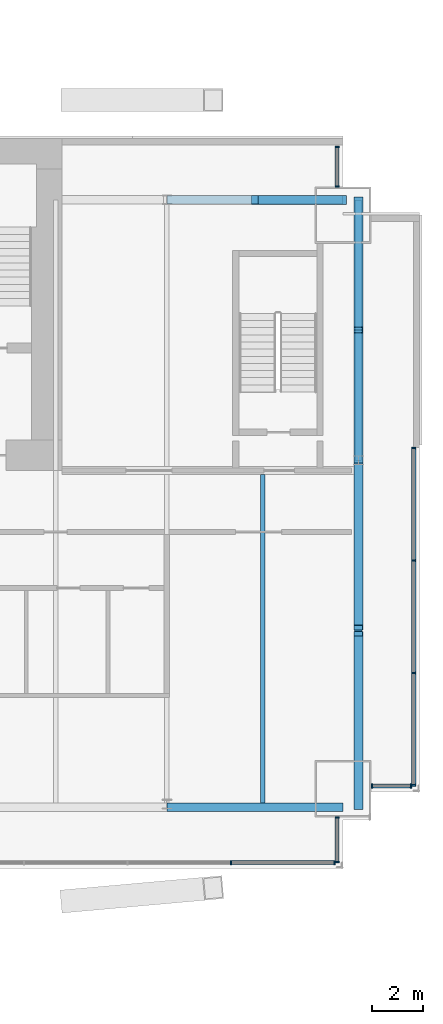
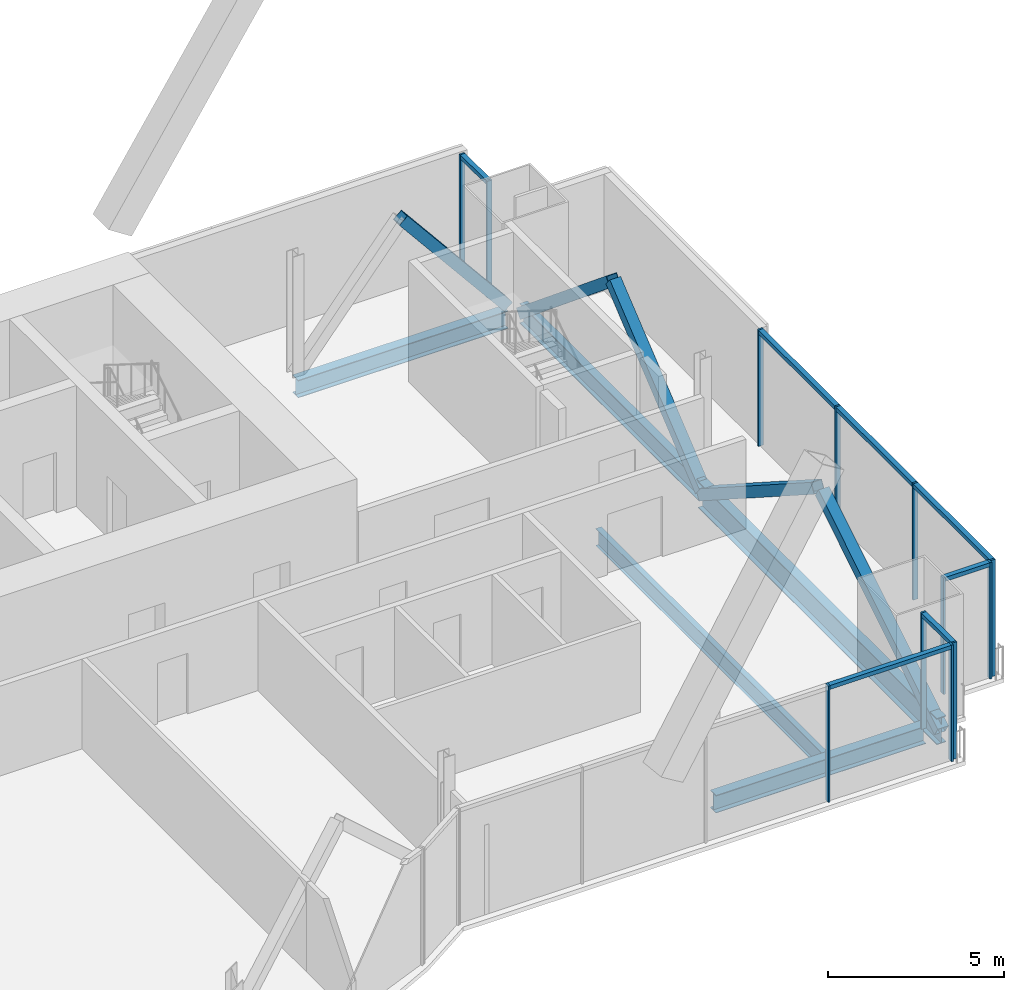
# One storey, part 11 of 19: 24 members, 5 beams, 5 elements without a shape of their own.
"""IFC4 building model written with IfcOpenShell, lengths in metres."""

from ifc_helpers import new_model, si_unit, direction, frame, origin, origin_2d, place, context, subcontext, project, spatial, rectangle, hollow_rectangle, i_section, extrude, material, material_profile, profile_set, type_object, element, aggregate, save


model = new_model("IFC4")

# Units and contexts
model_context = context("Model", 3, precision=1e-05, world=origin(), true_north=direction((0.0, 1.0)))
body_context = subcontext(model_context, "Body", "Model", "MODEL_VIEW")
ifc_project = project(units=[si_unit("LENGTHUNIT", "METRE"), si_unit("AREAUNIT", "SQUARE_METRE"), si_unit("VOLUMEUNIT", "CUBIC_METRE"), si_unit("PLANEANGLEUNIT", "RADIAN"), si_unit("MASSUNIT", "GRAM", prefix="KILO")], contexts=[model_context])

# Site, building, storey
site_placement = place(None, origin())
site = spatial("IfcSite", under=ifc_project, at=site_placement, CompositionType="ELEMENT")
building_placement = place(site_placement, origin())
building = spatial("IfcBuilding", under=site, at=building_placement, Name="Bicima Exchange Tower", CompositionType="ELEMENT")
storey_placement = place(building_placement, frame((0.0, 0.0, 270.800048828125)))
storey = spatial("IfcBuildingStorey", under=building, at=storey_placement, Name="L61", CompositionType="ELEMENT", Elevation=270.800048828125)

# Curtain wall, members
ifc_material_1 = material(Name="Anodised bronze aluminium", Category="aluminium")
curtain_wall_type_1 = type_object("IfcCurtainWallType", Name="End face glass wall", PredefinedType="NOTDEFINED", material=ifc_material_1)
curtain_wall_1_placement = place(storey_placement, origin())
curtain_wall_1 = element("IfcCurtainWall", 1, at=curtain_wall_1_placement, inside=storey, type_object=curtain_wall_type_1, Name="End face glass wall L61 run 19", PredefinedType="NOTDEFINED")
ifc_material_profile_1 = material_profile(ifc_material_1, rectangle(XDim=0.159912109375, YDim=0.06005859375, at=origin_2d()))
ifc_profile_set_1 = profile_set([ifc_material_profile_1], Name="Anodised bronze aluminium")
member_type_1 = type_object("IfcMemberType", Name="End face glass wall mullion 60 x 160", PredefinedType="MULLION", material=ifc_profile_set_1)
member_1_placement = place(storey_placement, frame((35.77001953125, -25.320068359375, 0.0), z_axis=(0.0, 0.0, 1.0), x_axis=(-1.0, 0.0, 0.0)))
member_1 = element("IfcMember", 2, at=member_1_placement, type_object=member_type_1, Name="End face glass wall mullion 1", PredefinedType="MULLION", context=body_context, shape_type="SweptSolid", body=[
    extrude(rectangle(XDim=0.159912109375, YDim=0.06005859375, at=origin_2d()), origin(), (0.0, 0.0, 1.0), 4.050048828125),
])
member_2_placement = place(storey_placement, frame((35.77001953125, -20.916748046875, 0.0), z_axis=(0.0, 0.0, 1.0), x_axis=(-1.0, 0.0, 0.0)))
member_2 = element("IfcMember", 3, at=member_2_placement, type_object=member_type_1, Name="End face glass wall mullion 2", PredefinedType="MULLION", context=body_context, shape_type="SweptSolid", body=[
    extrude(rectangle(XDim=0.159912109375, YDim=0.06005859375, at=origin_2d()), origin(), (0.0, 0.0, 1.0), 4.050048828125),
])
member_3_placement = place(storey_placement, frame((35.77001953125, -16.51318359375, 0.0), z_axis=(0.0, 0.0, 1.0), x_axis=(-1.0, 0.0, 0.0)))
member_3 = element("IfcMember", 4, at=member_3_placement, type_object=member_type_1, Name="End face glass wall mullion 3", PredefinedType="MULLION", context=body_context, shape_type="SweptSolid", body=[
    extrude(rectangle(XDim=0.159912109375, YDim=0.06005859375, at=origin_2d()), origin(), (0.0, 0.0, 1.0), 4.050048828125),
])
member_4_placement = place(storey_placement, frame((35.77001953125, -12.110107421875, 0.0), z_axis=(0.0, 0.0, 1.0), x_axis=(-1.0, 0.0, 0.0)))
member_4 = element("IfcMember", 5, at=member_4_placement, type_object=member_type_1, Name="End face glass wall mullion 4", PredefinedType="MULLION", context=body_context, shape_type="SweptSolid", body=[
    extrude(rectangle(XDim=0.159912109375, YDim=0.06005859375, at=origin_2d()), origin(), (0.0, 0.0, 1.0), 4.050048828125),
])
ifc_material_profile_2 = material_profile(ifc_material_1, rectangle(XDim=0.159912109375, YDim=0.139892578125, at=origin_2d()))
ifc_profile_set_2 = profile_set([ifc_material_profile_2], Name="Anodised bronze aluminium")
member_type_2 = type_object("IfcMemberType", Name="End face glass wall transom 140 x 160", PredefinedType="USERDEFINED", material=ifc_profile_set_2)
member_5_placement = place(storey_placement, frame((35.77001953125, -25.2900390625, 3.97998046875), z_axis=(0.0, 1.0, 0.0), x_axis=(-1.0, 0.0, 0.0)))
member_5 = element("IfcMember", 6, at=member_5_placement, type_object=member_type_2, Name="End face glass wall transom 1.1", ObjectType="TRANSOM", PredefinedType="USERDEFINED", context=body_context, shape_type="SweptSolid", body=[
    extrude(rectangle(XDim=0.159912109375, YDim=0.139892578125, at=origin_2d()), origin(), (0.0, 0.0, 1.0), 4.34326171875),
])
member_6_placement = place(storey_placement, frame((35.77001953125, -20.88671875, 3.97998046875), z_axis=(0.0, 1.0, 0.0), x_axis=(-1.0, 0.0, 0.0)))
member_6 = element("IfcMember", 7, at=member_6_placement, type_object=member_type_2, Name="End face glass wall transom 2.1", ObjectType="TRANSOM", PredefinedType="USERDEFINED", context=body_context, shape_type="SweptSolid", body=[
    extrude(rectangle(XDim=0.159912109375, YDim=0.139892578125, at=origin_2d()), origin(), (0.0, 0.0, 1.0), 4.343505859375),
])
member_7_placement = place(storey_placement, frame((35.77001953125, -16.4833984375, 3.97998046875), z_axis=(0.0, 1.0, 0.0), x_axis=(-1.0, 0.0, 0.0)))
member_7 = element("IfcMember", 8, at=member_7_placement, type_object=member_type_2, Name="End face glass wall transom 3.1", ObjectType="TRANSOM", PredefinedType="USERDEFINED", context=body_context, shape_type="SweptSolid", body=[
    extrude(rectangle(XDim=0.159912109375, YDim=0.139892578125, at=origin_2d()), origin(), (0.0, 0.0, 1.0), 4.343505859375),
])
aggregate(curtain_wall_1, [member_1, member_2, member_3, member_4, member_5, member_6, member_7])

# Beams
ifc_material_2 = material(Name="Steel ASTM A992 Gr 50", Category="steel")
ifc_material_profile_3 = material_profile(ifc_material_2, i_section(OverallWidth=0.256591796875, OverallDepth=0.693359375, WebThickness=0.014404296875, FlangeThickness=0.023681640625, at=origin_2d()))
ifc_profile_set_3 = profile_set([ifc_material_profile_3], Name="Steel ASTM A992 Gr 50")
beam_type_1 = type_object("IfcBeamType", Name="End girder W27x114", PredefinedType="BEAM", material=ifc_profile_set_3)
beam_1_placement = place(storey_placement, frame((33.60009765625, -2.39990234375, -0.496826171875), z_axis=(0.0, -1.0, 0.0), x_axis=(1.0, 0.0, 0.0)))
element("IfcBeam", 9, at=beam_1_placement, inside=storey, type_object=beam_type_1, Name="End girder", PredefinedType="BEAM", context=body_context, shape_type="SweptSolid", body=[
    extrude(i_section(OverallWidth=0.256591796875, OverallDepth=0.693359375, WebThickness=0.014404296875, FlangeThickness=0.023681640625, at=origin_2d()), origin(), (0.0, 0.0, 1.0), 10.2001953125),
])
ifc_material_profile_4 = material_profile(ifc_material_2, i_section(OverallWidth=0.3046875, OverallDepth=0.911865234375, WebThickness=0.015869140625, FlangeThickness=0.02392578125, at=origin_2d()))
ifc_profile_set_4 = profile_set([ifc_material_profile_4], Name="Steel ASTM A992 Gr 50")
beam_type_2 = type_object("IfcBeamType", Name="End girder W36x150", PredefinedType="BEAM", material=ifc_profile_set_4)
beam_2_placement = place(storey_placement, frame((33.60009765625, -12.60009765625, -0.60595703125), z_axis=(0.0, -1.0, 0.0), x_axis=(1.0, 0.0, 0.0)))
element("IfcBeam", 10, at=beam_2_placement, inside=storey, type_object=beam_type_2, Name="End girder", PredefinedType="BEAM", context=body_context, shape_type="SweptSolid", body=[
    extrude(i_section(OverallWidth=0.3046875, OverallDepth=0.911865234375, WebThickness=0.015869140625, FlangeThickness=0.02392578125, at=origin_2d()), origin(), (0.0, 0.0, 1.0), 13.579833984375),
])
ifc_material_profile_5 = material_profile(ifc_material_2, i_section(OverallWidth=0.177978515625, OverallDepth=0.599365234375, WebThickness=0.010009765625, FlangeThickness=0.012939453125, at=origin_2d()))
ifc_profile_set_5 = profile_set([ifc_material_profile_5], Name="Steel ASTM A992 Gr 50")
beam_type_3 = type_object("IfcBeamType", Name="Floor beam W24x55", PredefinedType="JOIST", material=ifc_profile_set_5)
beam_3_placement = place(storey_placement, frame((29.85009765625, -13.15234375, -0.44970703125), z_axis=(0.0, -1.0, 0.0), x_axis=(1.0, 0.0, 0.0)))
element("IfcBeam", 11, at=beam_3_placement, inside=storey, type_object=beam_type_3, Name="Floor beam", PredefinedType="JOIST", context=body_context, shape_type="SweptSolid", body=[
    extrude(i_section(OverallWidth=0.177978515625, OverallDepth=0.599365234375, WebThickness=0.010009765625, FlangeThickness=0.012939453125, at=origin_2d()), origin(), (0.0, 0.0, 1.0), 12.864990234375),
])
ifc_material_profile_6 = material_profile(ifc_material_2, i_section(OverallWidth=0.3251953125, OverallDepth=0.612060546875, WebThickness=0.0126953125, FlangeThickness=0.01904296875, at=origin_2d()))
ifc_profile_set_6 = profile_set([ifc_material_profile_6], Name="Steel ASTM A992 Gr 50")
beam_type_4 = type_object("IfcBeamType", Name="Front girder W24x104", PredefinedType="BEAM", material=ifc_profile_set_6)
beam_4_placement = place(storey_placement, frame((26.10009765625, -26.179931640625, -0.4560546875), z_axis=(1.0, 0.0, 0.0), x_axis=(0.0, 1.0, 0.0)))
element("IfcBeam", 12, at=beam_4_placement, inside=storey, type_object=beam_type_4, Name="Front girder", PredefinedType="BEAM", context=body_context, shape_type="SweptSolid", body=[
    extrude(i_section(OverallWidth=0.3251953125, OverallDepth=0.612060546875, WebThickness=0.0126953125, FlangeThickness=0.01904296875, at=origin_2d()), origin(), (0.0, 0.0, 1.0), 6.89990234375),
])

# Curtain wall, members
curtain_wall_type_2 = type_object("IfcCurtainWallType", Name="Front glass wall", PredefinedType="NOTDEFINED", material=ifc_material_1)
curtain_wall_2_placement = place(storey_placement, origin())
curtain_wall_2 = element("IfcCurtainWall", 13, at=curtain_wall_2_placement, inside=storey, type_object=curtain_wall_type_2, Name="Front glass wall L61 run 16", PredefinedType="NOTDEFINED")
member_type_3 = type_object("IfcMemberType", Name="Front glass wall mullion 60 x 160", PredefinedType="MULLION", material=ifc_profile_set_1)
member_8_placement = place(storey_placement, frame((28.610595703125, -28.35009765625, 0.0), z_axis=(0.0, 0.0, 1.0), x_axis=(0.0, 1.0, 0.0)))
member_8 = element("IfcMember", 14, at=member_8_placement, type_object=member_type_3, Name="Front glass wall mullion 4", PredefinedType="MULLION", context=body_context, shape_type="SweptSolid", body=[
    extrude(rectangle(XDim=0.159912109375, YDim=0.06005859375, at=origin_2d()), origin(), (0.0, 0.0, 1.0), 4.050048828125),
])
member_9_placement = place(storey_placement, frame((32.659912109375, -28.35009765625, 0.0), z_axis=(0.0, 0.0, 1.0), x_axis=(0.0, 1.0, 0.0)))
member_9 = element("IfcMember", 15, at=member_9_placement, type_object=member_type_3, Name="Front glass wall mullion 5", PredefinedType="MULLION", context=body_context, shape_type="SweptSolid", body=[
    extrude(rectangle(XDim=0.159912109375, YDim=0.06005859375, at=origin_2d()), origin(), (0.0, 0.0, 1.0), 4.050048828125),
])

curtain_wall_3_placement = place(storey_placement, origin())
curtain_wall_3 = element("IfcCurtainWall", 16, at=curtain_wall_3_placement, inside=storey, type_object=curtain_wall_type_2, Name="Front glass wall L61 run 17", PredefinedType="NOTDEFINED")
member_10_placement = place(storey_placement, frame((32.77001953125, -28.320068359375, 0.0), z_axis=(0.0, 0.0, 1.0), x_axis=(-1.0, 0.0, 0.0)))
member_10 = element("IfcMember", 17, at=member_10_placement, type_object=member_type_3, Name="Front glass wall mullion 1", PredefinedType="MULLION", context=body_context, shape_type="SweptSolid", body=[
    extrude(rectangle(XDim=0.159912109375, YDim=0.06005859375, at=origin_2d()), origin(), (0.0, 0.0, 1.0), 4.050048828125),
])
member_11_placement = place(storey_placement, frame((32.77001953125, -26.587890625, 0.0), z_axis=(0.0, 0.0, 1.0), x_axis=(-1.0, 0.0, 0.0)))
member_11 = element("IfcMember", 18, at=member_11_placement, type_object=member_type_3, Name="Front glass wall mullion 2", PredefinedType="MULLION", context=body_context, shape_type="SweptSolid", body=[
    extrude(rectangle(XDim=0.159912109375, YDim=0.06005859375, at=origin_2d()), origin(), (0.0, 0.0, 1.0), 4.050048828125),
])

curtain_wall_4_placement = place(storey_placement, origin())
curtain_wall_4 = element("IfcCurtainWall", 19, at=curtain_wall_4_placement, inside=storey, type_object=curtain_wall_type_2, Name="Front glass wall L61 run 18", PredefinedType="NOTDEFINED")
member_12_placement = place(storey_placement, frame((34.1298828125, -25.35009765625, 0.0), z_axis=(0.0, 0.0, 1.0), x_axis=(0.0, 1.0, 0.0)))
member_12 = element("IfcMember", 20, at=member_12_placement, type_object=member_type_3, Name="Front glass wall mullion 1", PredefinedType="MULLION", context=body_context, shape_type="SweptSolid", body=[
    extrude(rectangle(XDim=0.159912109375, YDim=0.06005859375, at=origin_2d()), origin(), (0.0, 0.0, 1.0), 4.050048828125),
])
member_13_placement = place(storey_placement, frame((35.659912109375, -25.35009765625, 0.0), z_axis=(0.0, 0.0, 1.0), x_axis=(0.0, 1.0, 0.0)))
member_13 = element("IfcMember", 21, at=member_13_placement, type_object=member_type_3, Name="Front glass wall mullion 2", PredefinedType="MULLION", context=body_context, shape_type="SweptSolid", body=[
    extrude(rectangle(XDim=0.159912109375, YDim=0.06005859375, at=origin_2d()), origin(), (0.0, 0.0, 1.0), 4.050048828125),
])

curtain_wall_5_placement = place(storey_placement, origin())
curtain_wall_5 = element("IfcCurtainWall", 22, at=curtain_wall_5_placement, inside=storey, type_object=curtain_wall_type_2, Name="Front glass wall L61 run 20", PredefinedType="NOTDEFINED")
member_14_placement = place(storey_placement, frame((32.77001953125, -1.8701171875, 0.0), z_axis=(0.0, 0.0, 1.0), x_axis=(-1.0, 0.0, 0.0)))
member_14 = element("IfcMember", 23, at=member_14_placement, type_object=member_type_3, Name="Front glass wall mullion 1", PredefinedType="MULLION", context=body_context, shape_type="SweptSolid", body=[
    extrude(rectangle(XDim=0.159912109375, YDim=0.06005859375, at=origin_2d()), origin(), (0.0, 0.0, 1.0), 4.050048828125),
])
member_15_placement = place(storey_placement, frame((32.77001953125, -0.340087890625, 0.0), z_axis=(0.0, 0.0, 1.0), x_axis=(-1.0, 0.0, 0.0)))
member_15 = element("IfcMember", 24, at=member_15_placement, type_object=member_type_3, Name="Front glass wall mullion 2", PredefinedType="MULLION", context=body_context, shape_type="SweptSolid", body=[
    extrude(rectangle(XDim=0.159912109375, YDim=0.06005859375, at=origin_2d()), origin(), (0.0, 0.0, 1.0), 4.050048828125),
])

# Member
member_type_4 = type_object("IfcMemberType", Name="Front glass wall transom 140 x 160", PredefinedType="USERDEFINED", material=ifc_profile_set_2)
member_16_placement = place(storey_placement, frame((28.640380859375, -28.35009765625, 3.97998046875), z_axis=(1.0, 0.0, 0.0), x_axis=(0.0, 1.0, 0.0)))
member_16 = element("IfcMember", 25, at=member_16_placement, type_object=member_type_4, Name="Front glass wall transom 4.1", ObjectType="TRANSOM", PredefinedType="USERDEFINED", context=body_context, shape_type="SweptSolid", body=[
    extrude(rectangle(XDim=0.159912109375, YDim=0.139892578125, at=origin_2d()), origin(), (0.0, 0.0, 1.0), 3.989501953125),
])

aggregate(curtain_wall_2, [member_8, member_9, member_16])

member_17_placement = place(storey_placement, frame((32.77001953125, -28.2900390625, 3.97998046875), z_axis=(0.0, 1.0, 0.0), x_axis=(-1.0, 0.0, 0.0)))
member_17 = element("IfcMember", 26, at=member_17_placement, type_object=member_type_4, Name="Front glass wall transom 1.1", ObjectType="TRANSOM", PredefinedType="USERDEFINED", context=body_context, shape_type="SweptSolid", body=[
    extrude(rectangle(XDim=0.159912109375, YDim=0.139892578125, at=origin_2d()), origin(), (0.0, 0.0, 1.0), 1.672119140625),
])

aggregate(curtain_wall_3, [member_10, member_11, member_17])

member_18_placement = place(storey_placement, frame((34.159912109375, -25.35009765625, 3.97998046875), z_axis=(1.0, 0.0, 0.0), x_axis=(0.0, 1.0, 0.0)))
member_18 = element("IfcMember", 27, at=member_18_placement, type_object=member_type_4, Name="Front glass wall transom 1.1", ObjectType="TRANSOM", PredefinedType="USERDEFINED", context=body_context, shape_type="SweptSolid", body=[
    extrude(rectangle(XDim=0.159912109375, YDim=0.139892578125, at=origin_2d()), origin(), (0.0, 0.0, 1.0), 1.469970703125),
])

aggregate(curtain_wall_4, [member_12, member_13, member_18])

member_19_placement = place(storey_placement, frame((32.77001953125, -1.840087890625, 3.97998046875), z_axis=(0.0, 1.0, 0.0), x_axis=(-1.0, 0.0, 0.0)))
member_19 = element("IfcMember", 28, at=member_19_placement, type_object=member_type_4, Name="Front glass wall transom 1.1", ObjectType="TRANSOM", PredefinedType="USERDEFINED", context=body_context, shape_type="SweptSolid", body=[
    extrude(rectangle(XDim=0.159912109375, YDim=0.139892578125, at=origin_2d()), origin(), (0.0, 0.0, 1.0), 1.469970703125),
])

aggregate(curtain_wall_5, [member_14, member_15, member_19])

# Members
ifc_material_3 = material(Name="Steel ASTM A572 Gr 50", Category="steel")
ifc_material_profile_7 = material_profile(ifc_material_3, hollow_rectangle(XDim=0.355712890625, YDim=0.355712890625, WallThickness=0.0146484375, at=origin_2d()))
ifc_profile_set_7 = profile_set([ifc_material_profile_7], Name="Steel ASTM A572 Gr 50")
member_type_5 = type_object("IfcMemberType", Name="Mega brace HSS14x14x5/8", PredefinedType="BRACE", material=ifc_profile_set_7)
member_20_placement = place(storey_placement, frame((33.0, -2.39990234375, 0.0), z_axis=(-0.63473846547, 0.0, 0.772727041362), x_axis=(0.0, -1.0, 0.0)))
element("IfcMember", 29, at=member_20_placement, inside=storey, type_object=member_type_5, Name="Mega brace rear", PredefinedType="BRACE", context=body_context, shape_type="SweptSolid", body=[
    extrude(hollow_rectangle(XDim=0.355712890625, YDim=0.355712890625, WallThickness=0.0146484375, at=origin_2d()), origin(), (0.0, 0.0, 1.0), 5.435302734375),
])
for number, where, z_axis, x_axis, name in (
    (30, (33.60009765625, -2.39990234375, -0.496826171875), (0.0, -0.771921702364, 0.635717614527), (1.0, 0.0, 0.0), "Mega brace east end"),
    (31, (33.60009765625, -12.60009765625, -0.496826171875), (0.0, 0.771921702364, 0.635717614527), (-1.0, 0.0, 0.0), "Mega brace east end"),
):
    element("IfcMember", number, at=place(storey_placement, frame(where, z_axis=z_axis, x_axis=x_axis)), inside=storey, type_object=member_type_5, Name=name, PredefinedType="BRACE", context=body_context, shape_type="SweptSolid", body=[
        extrude(hollow_rectangle(XDim=0.355712890625, YDim=0.355712890625, WallThickness=0.0146484375, at=origin_2d()), origin(), (0.0, 0.0, 1.0), 6.60693359375),
    ])
member_21_placement = place(storey_placement, frame((33.60009765625, -12.60009765625, -0.60595703125), z_axis=(0.0, -0.841653433979, 0.540018052542), x_axis=(1.0, 0.0, 0.0)))
element("IfcMember", 32, at=member_21_placement, inside=storey, type_object=member_type_5, Name="Mega brace east end", PredefinedType="BRACE", context=body_context, shape_type="SweptSolid", body=[
    extrude(hollow_rectangle(XDim=0.355712890625, YDim=0.355712890625, WallThickness=0.0146484375, at=origin_2d()), origin(), (0.0, 0.0, 1.0), 7.77734375),
])
member_22_placement = place(storey_placement, frame((33.60009765625, -26.179931640625, -0.60595703125), z_axis=(0.0, 0.850456032441, 0.5260461357), x_axis=(-1.0, 0.0, 0.0)))
element("IfcMember", 33, at=member_22_placement, inside=storey, type_object=member_type_5, Name="Mega brace east end", PredefinedType="BRACE", context=body_context, shape_type="SweptSolid", body=[
    extrude(hollow_rectangle(XDim=0.355712890625, YDim=0.355712890625, WallThickness=0.0146484375, at=origin_2d()), origin(), (0.0, 0.0, 1.0), 7.98388671875),
])

# Beam
beam_type_5 = type_object("IfcBeamType", Name="Rear girder W24x104", PredefinedType="BEAM", material=ifc_profile_set_6)
beam_5_placement = place(storey_placement, frame((26.10009765625, -2.39990234375, -0.4560546875), z_axis=(1.0, 0.0, 0.0), x_axis=(0.0, 1.0, 0.0)))
element("IfcBeam", 34, at=beam_5_placement, inside=storey, type_object=beam_type_5, Name="Rear girder", PredefinedType="BEAM", context=body_context, shape_type="SweptSolid", body=[
    extrude(i_section(OverallWidth=0.3251953125, OverallDepth=0.612060546875, WebThickness=0.0126953125, FlangeThickness=0.01904296875, at=origin_2d()), origin(), (0.0, 0.0, 1.0), 6.89990234375),
])

save(model, "model.ifc")
